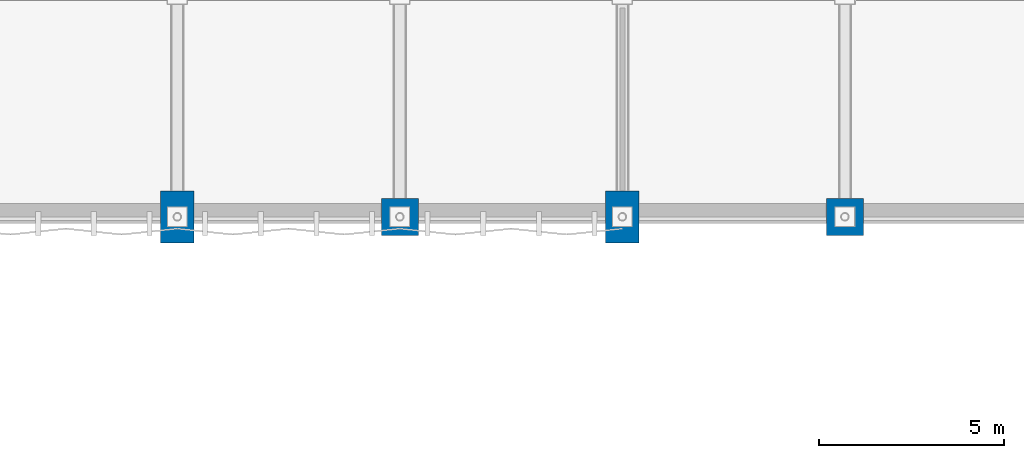
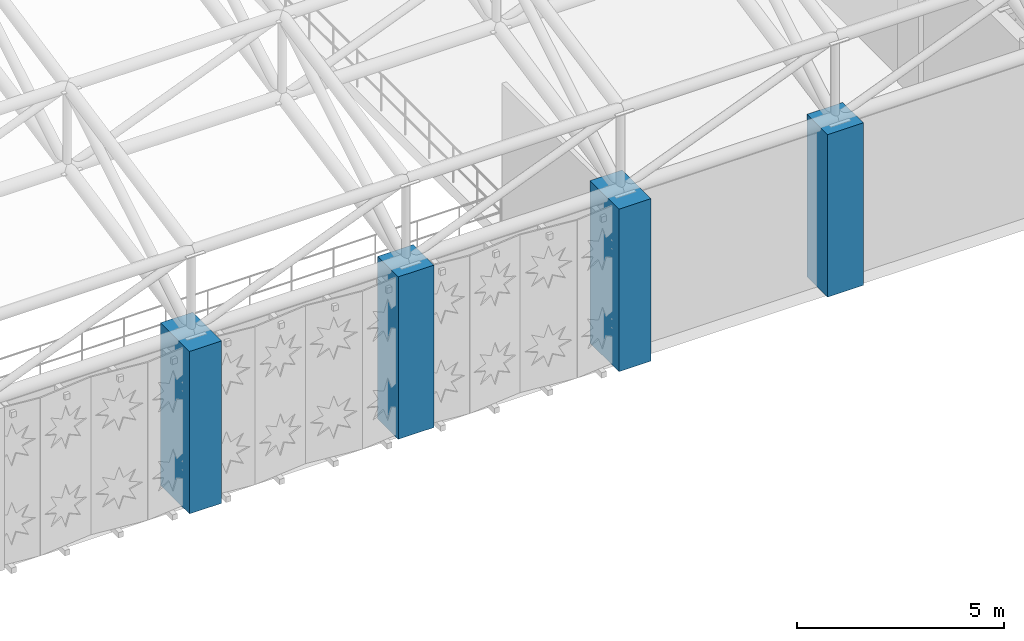
# One storey, part 2 of 112: 4 columns.
"""IFC4 building model written with IfcOpenShell, lengths in metres."""

from ifc_helpers import new_model, si_unit, direction, frame, origin, origin_2d, place, context, subcontext, project, spatial, rectangle, extrude, material, material_profile, profile_set, type_object, element, save


model = new_model("IFC4")

# Units and contexts
model_context = context("Model", 3, precision=1e-05, world=origin(), true_north=direction((0.0, 1.0)))
body_context = subcontext(model_context, "Body", "Model", "MODEL_VIEW")
ifc_project = project(units=[si_unit("LENGTHUNIT", "METRE"), si_unit("AREAUNIT", "SQUARE_METRE"), si_unit("VOLUMEUNIT", "CUBIC_METRE"), si_unit("PLANEANGLEUNIT", "RADIAN"), si_unit("MASSUNIT", "GRAM", prefix="KILO"), si_unit("THERMODYNAMICTEMPERATUREUNIT", "KELVIN"), si_unit("POWERUNIT", "WATT")], contexts=[model_context])

# Site, building, storey
site_placement = place(None, origin())
site = spatial("IfcSite", under=ifc_project, at=site_placement, CompositionType="ELEMENT")
building_placement = place(site_placement, origin())
building = spatial("IfcBuilding", under=site, at=building_placement, Name="Phaisarnlok Congress Hotel", CompositionType="ELEMENT")
storey_placement = place(building_placement, frame((0.0, 0.0, 19.800048828125)))
storey = spatial("IfcBuildingStorey", under=building, at=storey_placement, Name="L04", CompositionType="ELEMENT", Elevation=19.800048828125)

# Columns
ifc_material = material(Name="Concrete C50/60", Category="concrete")
ifc_material_profile_1 = material_profile(ifc_material, rectangle(XDim=1.0, YDim=1.0, at=origin_2d()), Name="RC 1000x1000")
ifc_profile_set_1 = profile_set([ifc_material_profile_1], Name="Concrete C50/60")
column_type_1 = type_object("IfcColumnType", Name="COL-RC-1000", PredefinedType="COLUMN", material=ifc_profile_set_1)
for number, where, z_axis, x_axis, name in (
    (1, (48.0, 42.0, 0.0), (0.0, 0.0, 1.0), (1.0, 0.0, 0.0), "Column C-09 (L04)"),
    (2, (60.0, 42.0, 0.0), (0.0, 0.0, 1.0), (1.0, 0.0, 0.0), "Column C-09 (L04)"),
):
    element("IfcColumn", number, at=place(storey_placement, frame(where, z_axis=z_axis, x_axis=x_axis)), inside=storey, type_object=column_type_1, Name=name, PredefinedType="COLUMN", context=body_context, shape_type="SweptSolid", body=[
        extrude(rectangle(XDim=1.0, YDim=1.0, at=origin_2d()), origin(), (0.0, 0.0, 1.0), 4.800048828125),
    ])
ifc_material_profile_2 = material_profile(ifc_material, rectangle(XDim=0.89990234375, YDim=1.39990234375, at=origin_2d()), Name="RC 900x1400")
ifc_profile_set_2 = profile_set([ifc_material_profile_2], Name="Concrete C50/60")
column_type_2 = type_object("IfcColumnType", Name="COL-RC-900x1400", PredefinedType="COLUMN", material=ifc_profile_set_2)
for number, where, z_axis, x_axis, name in (
    (3, (42.0, 42.0, 0.0), (0.0, 0.0, 1.0), (1.0, 0.0, 0.0), "Column C-12 (L04)"),
    (4, (54.0, 42.0, 0.0), (0.0, 0.0, 1.0), (1.0, 0.0, 0.0), "Column C-12 (L04)"),
):
    element("IfcColumn", number, at=place(storey_placement, frame(where, z_axis=z_axis, x_axis=x_axis)), inside=storey, type_object=column_type_2, Name=name, PredefinedType="COLUMN", context=body_context, shape_type="SweptSolid", body=[
        extrude(rectangle(XDim=0.89990234375, YDim=1.39990234375, at=origin_2d()), origin(), (0.0, 0.0, 1.0), 4.800048828125),
    ])

save(model, "model.ifc")
